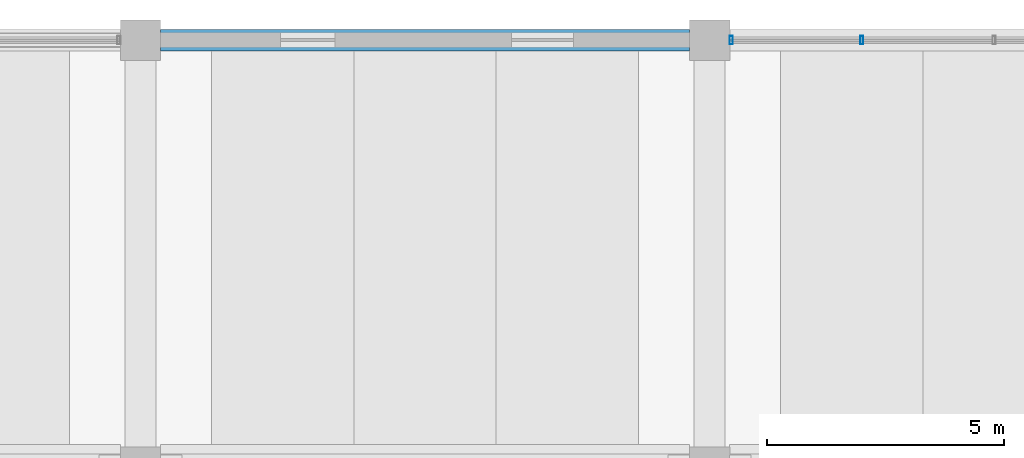
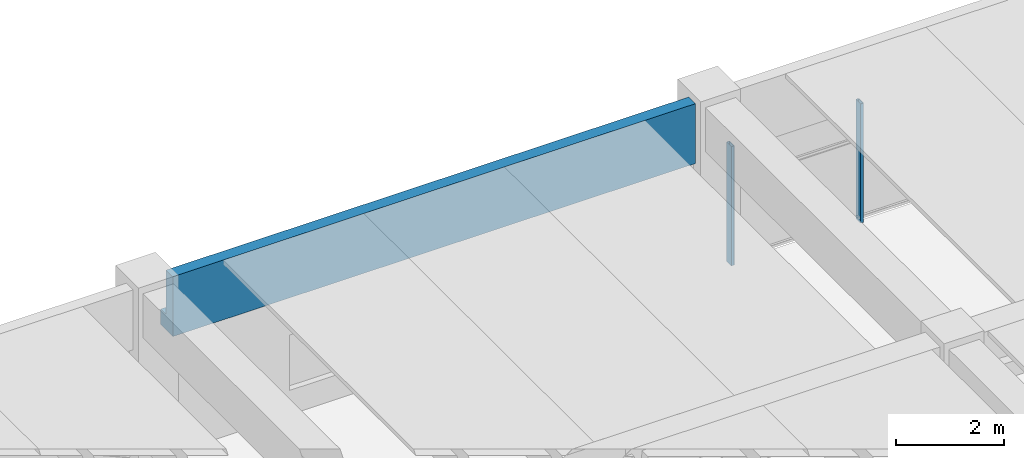
# One storey, part 28 of 50: 2 members, 1 beam, 1 element without a shape of its own.
"""IFC4 building model written with IfcOpenShell, lengths in metres."""

from ifc_helpers import new_model, si_unit, direction, frame, origin, origin_2d, place, context, subcontext, project, spatial, polyline, hollow_rectangle, outline, extrude, material, material_profile, profile_set, type_object, element, aggregate, save


model = new_model("IFC4")

# Units and contexts
model_context = context("Model", 3, precision=1e-05, world=origin(), true_north=direction((0.0, 1.0)))
body_context = subcontext(model_context, "Body", "Model", "MODEL_VIEW")
ifc_project = project(units=[si_unit("LENGTHUNIT", "METRE"), si_unit("AREAUNIT", "SQUARE_METRE"), si_unit("VOLUMEUNIT", "CUBIC_METRE"), si_unit("PLANEANGLEUNIT", "RADIAN"), si_unit("MASSUNIT", "GRAM", prefix="KILO")], contexts=[model_context])

# Site, building, storey
site_placement = place(None, origin())
site = spatial("IfcSite", under=ifc_project, at=site_placement, CompositionType="ELEMENT")
building_placement = place(site_placement, origin())
building = spatial("IfcBuilding", under=site, at=building_placement, Name="Girod Span Mobility Hub", CompositionType="ELEMENT")
storey_placement = place(building_placement, frame((0.0, 0.0, 5.39990234375)))
storey = spatial("IfcBuildingStorey", under=building, at=storey_placement, Name="L01", CompositionType="ELEMENT", Elevation=5.39990234375)

# Beam
ifc_material_1 = material(Name="Concrete C40/50", Category="concrete")
ifc_material_profile_1 = material_profile(ifc_material_1, outline(polyline([(-0.22509765625, -0.675048828125), (0.22509765625, -0.675048828125), (0.22509765625, -0.324951171875), (0.02490234375, -0.324951171875), (0.02490234375, 0.675048828125), (-0.22509765625, 0.675048828125), (-0.22509765625, -0.675048828125)])), Name="SP-450X1350")
ifc_profile_set_1 = profile_set([ifc_material_profile_1], Name="Concrete C40/50")
beam_type = type_object("IfcBeamType", Name="BM-SP-450X1350", PredefinedType="SPANDREL", material=ifc_profile_set_1)
beam_placement = place(storey_placement, frame((144.422119140625, 114.0, 3.364990234375), z_axis=(1.0, 0.0, 0.0), x_axis=(0.0, 1.0, 0.0)))
element("IfcBeam", 1, at=beam_placement, inside=storey, type_object=beam_type, Name="Girder 13-14/J L01", PredefinedType="SPANDREL", context=body_context, shape_type="SweptSolid", body=[
    extrude(outline(polyline([(-0.22509765625, -0.675048828125), (0.22509765625, -0.675048828125), (0.22509765625, -0.324951171875), (0.02490234375, -0.324951171875), (0.02490234375, 0.675048828125), (-0.22509765625, 0.675048828125), (-0.22509765625, -0.675048828125)])), origin(), (0.0, 0.0, 1.0), 11.15576171875),
])

# Curtain wall, members
ifc_material_2 = material(Name="Thermally Broken Anodised Aluminium", Category="aluminium")
curtain_wall_type = type_object("IfcCurtainWallType", Name="CW-1115X269", PredefinedType="USERDEFINED", material=ifc_material_2)
curtain_wall_placement = place(storey_placement, origin())
curtain_wall = element("IfcCurtainWall", 2, at=curtain_wall_placement, inside=storey, type_object=curtain_wall_type, Name="Concourse Storefront CW-L01-N14 L01", ObjectType="CONCOURSE STOREFRONT", PredefinedType="USERDEFINED")
ifc_material_3 = material(Name="Thermally Broken Anodised Aluminium", Category="aluminium")
ifc_material_profile_2 = material_profile(ifc_material_3, hollow_rectangle(XDim=0.179931640625, YDim=0.06494140625, WallThickness=0.00390625, InnerFilletRadius=0.00390625, OuterFilletRadius=0.008056640625, at=origin_2d()), Name="CW-ML-65X180")
ifc_profile_set_2 = profile_set([ifc_material_profile_2], Name="Thermally Broken Anodised Aluminium")
member_type = type_object("IfcMemberType", Name="CWM-ML-2", PredefinedType="MULLION", material=ifc_profile_set_2)
member_1_placement = place(storey_placement, frame((156.455078125, 114.0, 0.0), z_axis=(0.0, 0.0, 1.0), x_axis=(0.0, 1.0, 0.0)))
member_1 = element("IfcMember", 3, at=member_1_placement, type_object=member_type, Name="Curtain Wall Mullion CW-L01-N14-M0", PredefinedType="MULLION", context=body_context, shape_type="SweptSolid", body=[
    extrude(hollow_rectangle(XDim=0.179931640625, YDim=0.06494140625, WallThickness=0.00390625, InnerFilletRadius=0.00390625, OuterFilletRadius=0.008056640625, at=origin_2d()), origin(), (0.0, 0.0, 1.0), 2.690185546875),
])
member_2_placement = place(storey_placement, frame((159.21142578125, 114.0, 0.0), z_axis=(0.0, 0.0, 1.0), x_axis=(0.0, 1.0, 0.0)))
member_2 = element("IfcMember", 4, at=member_2_placement, type_object=member_type, Name="Curtain Wall Mullion CW-L01-N14-M1", PredefinedType="MULLION", context=body_context, shape_type="SweptSolid", body=[
    extrude(hollow_rectangle(XDim=0.179931640625, YDim=0.06494140625, WallThickness=0.00390625, InnerFilletRadius=0.00390625, OuterFilletRadius=0.008056640625, at=origin_2d()), origin(), (0.0, 0.0, 1.0), 2.690185546875),
])
aggregate(curtain_wall, [member_1, member_2])

save(model, "model.ifc")
